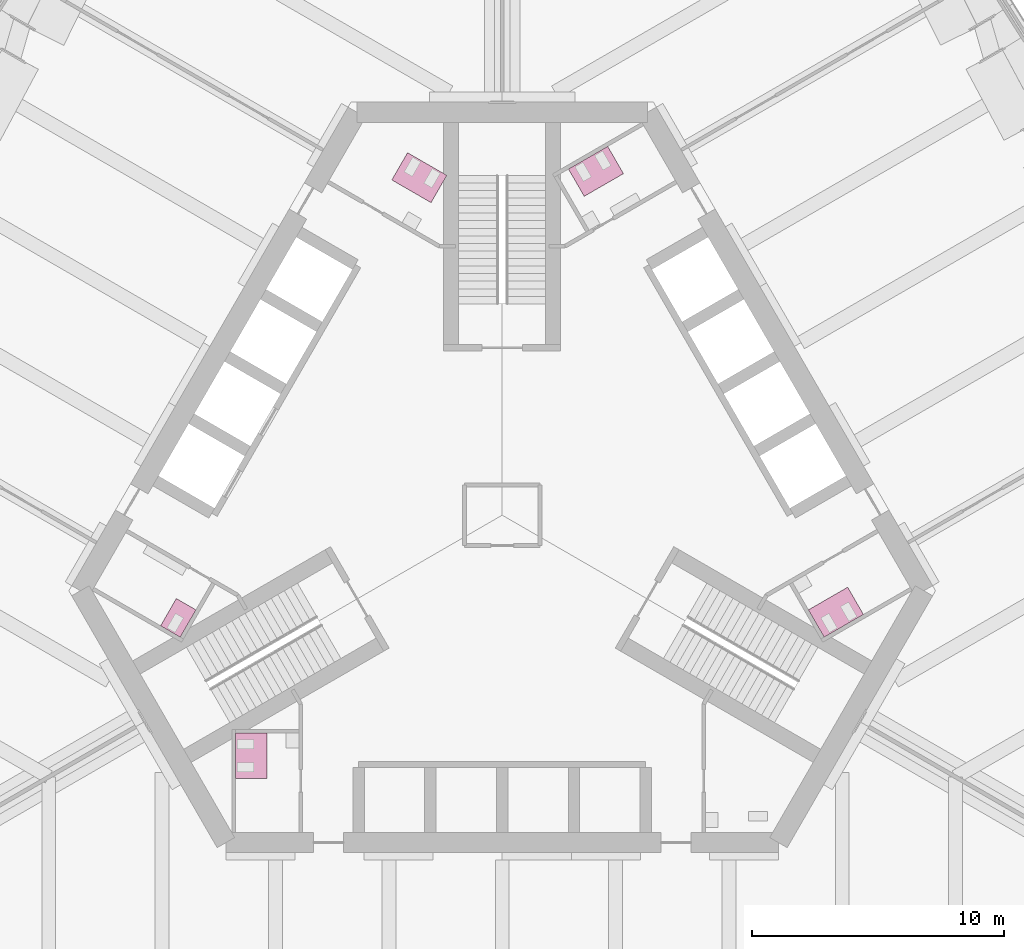
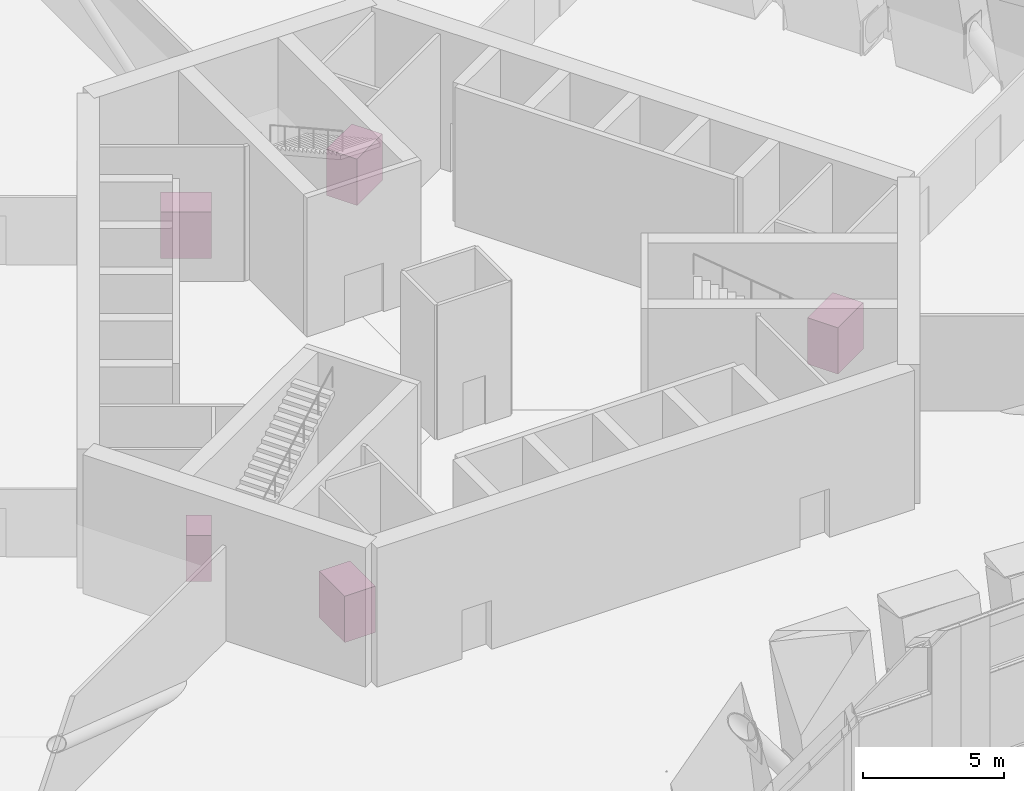
# One storey, part 28 of 28: 5 furniture elements.
"""IFC4 building model written with IfcOpenShell, lengths in metres."""

from ifc_helpers import new_model, si_unit, direction, frame, origin, place, context, subcontext, project, spatial, polyline, outline, extrude, material, type_object, element, save


model = new_model("IFC4")

# Units and contexts
model_context = context("Model", 3, precision=1e-05, world=origin(), true_north=direction((0.0, 1.0)))
body_context = subcontext(model_context, "Body", "Model", "MODEL_VIEW")
ifc_project = project(units=[si_unit("LENGTHUNIT", "METRE"), si_unit("AREAUNIT", "SQUARE_METRE"), si_unit("VOLUMEUNIT", "CUBIC_METRE"), si_unit("PLANEANGLEUNIT", "RADIAN"), si_unit("MASSUNIT", "GRAM", prefix="KILO")], contexts=[model_context])

# Site, building, storey
site_placement = place(None, origin())
site = spatial("IfcSite", under=ifc_project, at=site_placement, CompositionType="ELEMENT")
building_placement = place(site_placement, origin())
building = spatial("IfcBuilding", under=site, at=building_placement, Name="Trefoil Bronze Tower", CompositionType="ELEMENT")
storey_placement = place(building_placement, frame((0.0, 0.0, 92.10009765625)))
storey = spatial("IfcBuildingStorey", under=building, at=storey_placement, Name="L21", CompositionType="ELEMENT", Elevation=92.10009765625)

# Furniture
ifc_material_1 = material(Name="Compact laminate cubicles", Category="plastic")
furniture_type_1 = type_object("IfcFurnitureType", Name="WC cubicle range 1 cubicles", AssemblyPlace="FACTORY", PredefinedType="USERDEFINED", material=ifc_material_1)
furniture_1_placement = place(storey_placement, origin())
element("IfcFurniture", 1, at=furniture_1_placement, inside=storey, type_object=furniture_type_1, Name="WC cubicle range WC (men) L21", ObjectType="WC cubicle range", PredefinedType="USERDEFINED", context=body_context, shape_type="SweptSolid", body=[
    extrude(outline(polyline([(-12.15869140625, -3.75927734375), (-12.78369140625, -4.841796875), (-13.56298828125, -4.391845703125), (-12.93798828125, -3.309326171875), (-12.15869140625, -3.75927734375)])), origin(), (0.0, 0.0, 1.0), 2.0),
])
ifc_material_2 = material(Name="Compact laminate cubicles", Category="plastic")
furniture_type_2 = type_object("IfcFurnitureType", Name="WC cubicle range 2 cubicles", AssemblyPlace="FACTORY", PredefinedType="USERDEFINED", material=ifc_material_2)
furniture_2_placement = place(storey_placement, origin())
element("IfcFurniture", 2, at=furniture_2_placement, inside=storey, type_object=furniture_type_2, Name="WC cubicle range WC (women) L21", ObjectType="WC cubicle range", PredefinedType="USERDEFINED", context=body_context, shape_type="SweptSolid", body=[
    extrude(outline(polyline([(12.15869140625, -3.75927734375), (12.78369140625, -4.841796875), (14.342529296875, -3.94189453125), (13.717529296875, -2.859375), (12.15869140625, -3.75927734375)])), origin(), (0.0, 0.0, 1.0), 2.0),
])
furniture_3_placement = place(storey_placement, origin())
element("IfcFurniture", 3, at=furniture_3_placement, inside=storey, type_object=furniture_type_2, Name="WC cubicle range WC (men) L21", ObjectType="WC cubicle range", PredefinedType="USERDEFINED", context=body_context, shape_type="SweptSolid", body=[
    extrude(outline(polyline([(3.256591796875, 12.659423828125), (2.631591796875, 13.741943359375), (4.1904296875, 14.641845703125), (4.8154296875, 13.559326171875), (3.256591796875, 12.659423828125)])), origin(), (0.0, 0.0, 1.0), 2.0),
])
furniture_4_placement = place(storey_placement, origin())
element("IfcFurniture", 4, at=furniture_4_placement, inside=storey, type_object=furniture_type_2, Name="WC cubicle range WC (women) L21", ObjectType="WC cubicle range", PredefinedType="USERDEFINED", context=body_context, shape_type="SweptSolid", body=[
    extrude(outline(polyline([(-2.82373046875, 12.409423828125), (-2.19873046875, 13.491943359375), (-3.757568359375, 14.391845703125), (-4.382568359375, 13.309326171875), (-2.82373046875, 12.409423828125)])), origin(), (0.0, 0.0, 1.0), 2.0),
])
furniture_5_placement = place(storey_placement, origin())
element("IfcFurniture", 5, at=furniture_5_placement, inside=storey, type_object=furniture_type_2, Name="WC cubicle range WC (women) L21", ObjectType="WC cubicle range", PredefinedType="USERDEFINED", context=body_context, shape_type="SweptSolid", body=[
    extrude(outline(polyline([(-9.3349609375, -8.64990234375), (-10.5849609375, -8.64990234375), (-10.5849609375, -10.449951171875), (-9.3349609375, -10.449951171875), (-9.3349609375, -8.64990234375)])), origin(), (0.0, 0.0, 1.0), 2.0),
])

save(model, "model.ifc")
